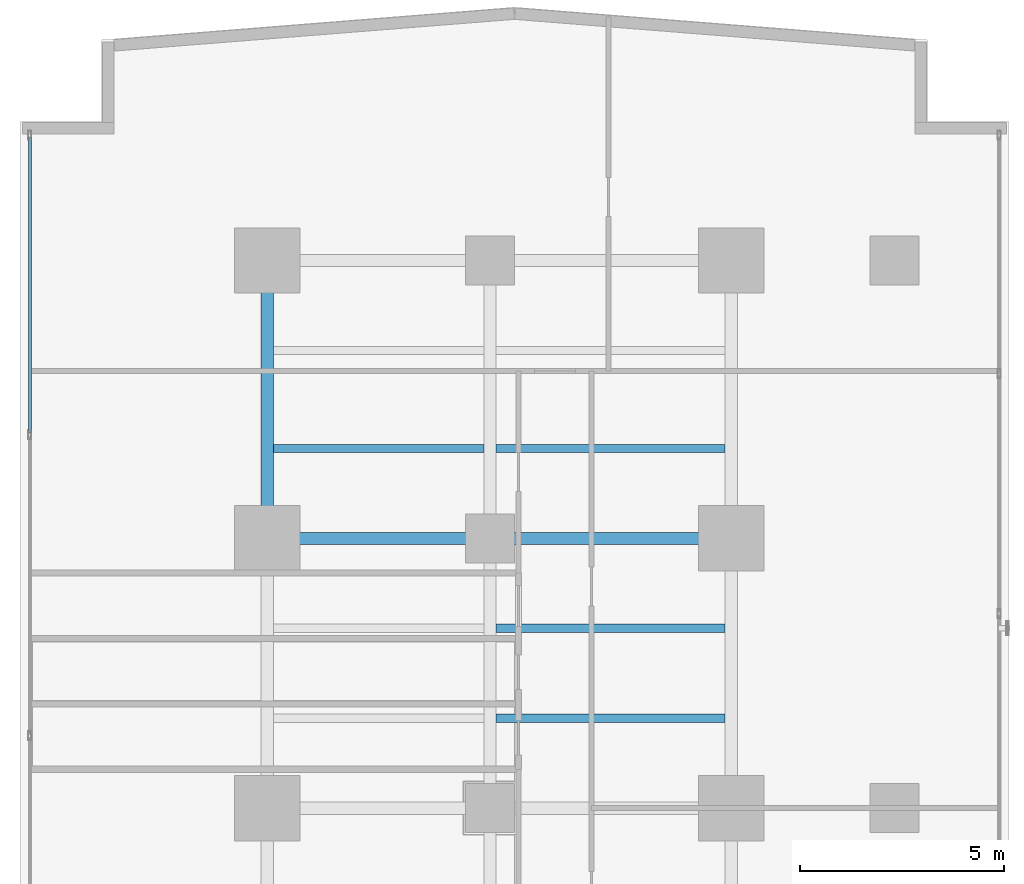
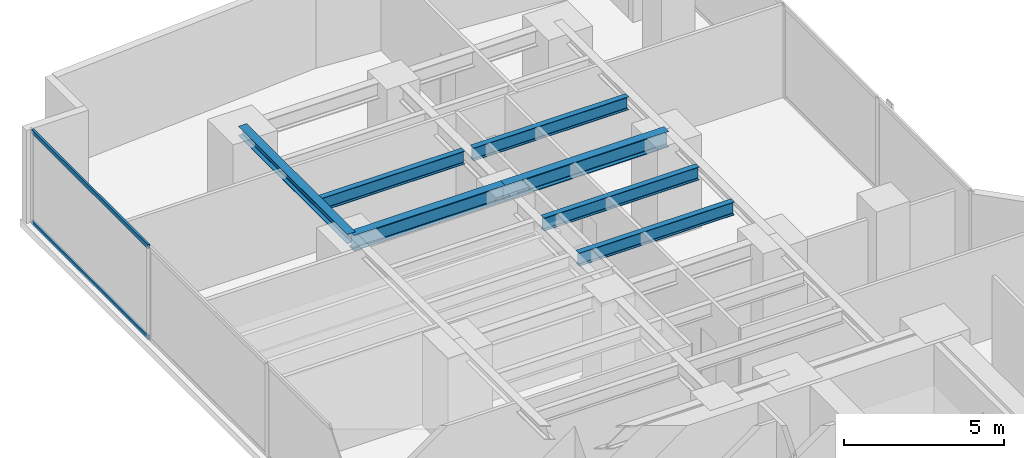
# One storey, part 16 of 30: 7 beams, 2 members, 1 element without a shape of its own.
"""IFC4 building model written with IfcOpenShell, lengths in metres."""

from ifc_helpers import new_model, si_unit, direction, frame, origin, origin_with_axes, origin_2d, place, context, subcontext, project, spatial, hollow_rectangle, i_section, extrude, source, transform, mapped, material, layer, layer_set, material_profile, profile_set, type_object, element, aggregate, save


model = new_model("IFC4")

# Units and contexts
model_context = context("Model", 3, precision=1e-05, world=origin(), true_north=direction((0.0, 1.0)))
body_context = subcontext(model_context, "Body", "Model", "MODEL_VIEW")
ifc_project = project(units=[si_unit("LENGTHUNIT", "METRE"), si_unit("AREAUNIT", "SQUARE_METRE"), si_unit("VOLUMEUNIT", "CUBIC_METRE"), si_unit("PLANEANGLEUNIT", "RADIAN"), si_unit("MASSUNIT", "GRAM", prefix="KILO")], contexts=[model_context])

# Site, building, storey
site_placement = place(None, origin())
site = spatial("IfcSite", under=ifc_project, at=site_placement, CompositionType="ELEMENT")
building_placement = place(site_placement, origin())
building = spatial("IfcBuilding", under=site, at=building_placement, Name="Kolvaren Waterfront Exchange", CompositionType="ELEMENT")
storey_placement = place(building_placement, frame((0.0, 0.0, 52.39990234375)))
storey = spatial("IfcBuildingStorey", under=building, at=storey_placement, Name="L13", CompositionType="ELEMENT", Elevation=52.39990234375)

# Beams
ifc_material_1 = material(Name="Steel S355", Category="steel")
ifc_material_profile_1 = material_profile(ifc_material_1, i_section(OverallWidth=0.300048828125, OverallDepth=0.360107421875, WebThickness=0.012451171875, FlangeThickness=0.0224609375, FilletRadius=0.027099609375, at=origin_2d()), Name="HEB360")
ifc_profile_set_1 = profile_set([ifc_material_profile_1], Name="Steel S355")
beam_type_1 = type_object("IfcBeamType", Name="STR-BM-HEB360", PredefinedType="SPANDREL", material=ifc_profile_set_1)
beam_1_placement = place(storey_placement, frame((7.449951171875, 37.800048828125, 3.360107421875), z_axis=(0.0, 1.0, 0.0), x_axis=(-1.0, 0.0, 0.0)))
element("IfcBeam", 1, at=beam_1_placement, inside=storey, type_object=beam_type_1, Name="L13 north-arm edge beam 3", PredefinedType="SPANDREL", context=body_context, shape_type="SweptSolid", body=[
    extrude(i_section(OverallWidth=0.300048828125, OverallDepth=0.360107421875, WebThickness=0.012451171875, FlangeThickness=0.0224609375, FilletRadius=0.027099609375, at=origin_2d()), origin(), (0.0, 0.0, 1.0), 6.800048828125),
])
ifc_material_profile_2 = material_profile(ifc_material_1, i_section(OverallWidth=0.300048828125, OverallDepth=0.60009765625, WebThickness=0.015380859375, FlangeThickness=0.030029296875, FilletRadius=0.027099609375, at=origin_2d()), Name="HEB600")
ifc_profile_set_2 = profile_set([ifc_material_profile_2], Name="Steel S355")
beam_type_2 = type_object("IfcBeamType", Name="STR-BM-HEB600", PredefinedType="BEAM", material=ifc_profile_set_2)
beam_2_placement = place(storey_placement, frame((7.449951171875, 37.800048828125, 3.239990234375), z_axis=(1.0, 0.0, 0.0), x_axis=(0.0, 1.0, 0.0)))
element("IfcBeam", 2, at=beam_2_placement, inside=storey, type_object=beam_type_2, Name="L13 north-arm girder 3A", PredefinedType="BEAM", context=body_context, shape_type="SweptSolid", body=[
    extrude(i_section(OverallWidth=0.300048828125, OverallDepth=0.60009765625, WebThickness=0.015380859375, FlangeThickness=0.030029296875, FilletRadius=0.027099609375, at=origin_2d()), origin(), (0.0, 0.0, 1.0), 5.449951171875),
])
beam_3_placement = place(storey_placement, frame((12.89990234375, 37.800048828125, 3.239990234375), z_axis=(1.0, 0.0, 0.0), x_axis=(0.0, 1.0, 0.0)))
element("IfcBeam", 3, at=beam_3_placement, inside=storey, type_object=beam_type_2, Name="L13 north-arm girder 3B", PredefinedType="BEAM", context=body_context, shape_type="SweptSolid", body=[
    extrude(i_section(OverallWidth=0.300048828125, OverallDepth=0.60009765625, WebThickness=0.015380859375, FlangeThickness=0.030029296875, FilletRadius=0.027099609375, at=origin_2d()), origin(), (0.0, 0.0, 1.0), 5.900146484375),
])
ifc_material_profile_3 = material_profile(ifc_material_1, i_section(OverallWidth=0.199951171875, OverallDepth=0.5, WebThickness=0.01025390625, FlangeThickness=0.01611328125, FilletRadius=0.02099609375, at=origin_2d()), Name="IPE500")
ifc_profile_set_3 = profile_set([ifc_material_profile_3], Name="Steel S355")
beam_type_3 = type_object("IfcBeamType", Name="STR-BM-IPE500", PredefinedType="JOIST", material=ifc_profile_set_3)
for number, where, z_axis, x_axis, name in (
    (4, (13.052001953125, 33.39990234375, 3.2900390625), (1.0, 0.0, 0.0), (0.0, 1.0, 0.0), "L13 north-arm composite joist 3B"),
    (5, (13.052001953125, 35.60009765625, 3.2900390625), (1.0, 0.0, 0.0), (0.0, 1.0, 0.0), "L13 north-arm composite joist 4B"),
):
    element("IfcBeam", number, at=place(storey_placement, frame(where, z_axis=z_axis, x_axis=x_axis)), inside=storey, type_object=beam_type_3, Name=name, PredefinedType="JOIST", context=body_context, shape_type="SweptSolid", body=[
        extrude(i_section(OverallWidth=0.199951171875, OverallDepth=0.5, WebThickness=0.01025390625, FlangeThickness=0.01611328125, FilletRadius=0.02099609375, at=origin_2d()), origin(), (0.0, 0.0, 1.0), 5.595947265625),
    ])
beam_4_placement = place(storey_placement, frame((7.60205078125, 40.0, 3.2900390625), z_axis=(1.0, 0.0, 0.0), x_axis=(0.0, 1.0, 0.0)))
element("IfcBeam", 6, at=beam_4_placement, inside=storey, type_object=beam_type_3, Name="L13 north-arm composite joist 5A", PredefinedType="JOIST", context=body_context, shape_type="SweptSolid", body=[
    extrude(i_section(OverallWidth=0.199951171875, OverallDepth=0.5, WebThickness=0.01025390625, FlangeThickness=0.01611328125, FilletRadius=0.02099609375, at=origin_2d()), origin(), (0.0, 0.0, 1.0), 5.14599609375),
])
beam_5_placement = place(storey_placement, frame((13.052001953125, 40.0, 3.2900390625), z_axis=(1.0, 0.0, 0.0), x_axis=(0.0, 1.0, 0.0)))
element("IfcBeam", 7, at=beam_5_placement, inside=storey, type_object=beam_type_3, Name="L13 north-arm composite joist 5B", PredefinedType="JOIST", context=body_context, shape_type="SweptSolid", body=[
    extrude(i_section(OverallWidth=0.199951171875, OverallDepth=0.5, WebThickness=0.01025390625, FlangeThickness=0.01611328125, FilletRadius=0.02099609375, at=origin_2d()), origin(), (0.0, 0.0, 1.0), 5.595947265625),
])

# Curtain wall, members
ifc_material_2 = material(Name="Anodised aluminium 6063-T6", Category="aluminium")
ifc_layer = layer(ifc_material_2, 0.219970703125, Name="Anodised aluminium 6063-T6")
ifc_layer_set = layer_set([ifc_layer], Name="Anodised aluminium 6063-T6")
curtain_wall_type = type_object("IfcCurtainWallType", Name="ARC-CW-SYS2", PredefinedType="USERDEFINED", material=ifc_layer_set)
curtain_wall_placement = place(storey_placement, origin())
curtain_wall = element("IfcCurtainWall", 8, at=curtain_wall_placement, inside=storey, type_object=curtain_wall_type, Name="L13 stick curtain wall CW2 (CW-L13-W)", ObjectType="STICK CURTAIN WALL", PredefinedType="USERDEFINED")
ifc_material_profile_4 = material_profile(ifc_material_2, hollow_rectangle(XDim=0.074951171875, YDim=0.159912109375, WallThickness=0.00439453125, at=origin_2d()), Name="ALU-TRN-160x75x4.5")
ifc_profile_set_4 = profile_set([ifc_material_profile_4], Name="Anodised aluminium 6063-T6")
member_type = type_object("IfcMemberType", Name="ARC-CWT-160", PredefinedType="USERDEFINED", material=ifc_profile_set_4)
shared_shape = source(origin_with_axes(), body_context, "Body", "SweptSolid", [
    extrude(hollow_rectangle(XDim=0.074951171875, YDim=0.159912109375, WallThickness=0.00439453125, at=origin_2d()), origin(), (0.0, 0.0, 1.0), 7.246826171875),
])
member_1_placement = place(storey_placement, frame((1.639892578125, 40.373291015625, 0.03759765625), z_axis=(0.0, 1.0, 0.0), x_axis=(-1.0, 0.0, 0.0)))
member_1 = element("IfcMember", 9, at=member_1_placement, type_object=member_type, Name="CW2 transom 6.1", ObjectType="TRANSOM", PredefinedType="USERDEFINED", context=body_context, shape_type="MappedRepresentation", body=[
    mapped(shared_shape, transform((0.0, 0.0, 0.0), x_axis=(1.0, 0.0, 0.0), y_axis=(0.0, 1.0, 0.0), z_axis=(0.0, 0.0, 1.0), scale=1.0)),
])
member_2_placement = place(storey_placement, frame((1.639892578125, 40.373291015625, 3.502685546875), z_axis=(0.0, 1.0, 0.0), x_axis=(-1.0, 0.0, 0.0)))
member_2 = element("IfcMember", 10, at=member_2_placement, type_object=member_type, Name="CW2 transom 6.2", ObjectType="TRANSOM", PredefinedType="USERDEFINED", context=body_context, shape_type="MappedRepresentation", body=[
    mapped(shared_shape, transform((0.0, 0.0, 0.0), x_axis=(1.0, 0.0, 0.0), y_axis=(0.0, 1.0, 0.0), z_axis=(0.0, 0.0, 1.0), scale=1.0)),
])
aggregate(curtain_wall, [member_1, member_2])

save(model, "model.ifc")
